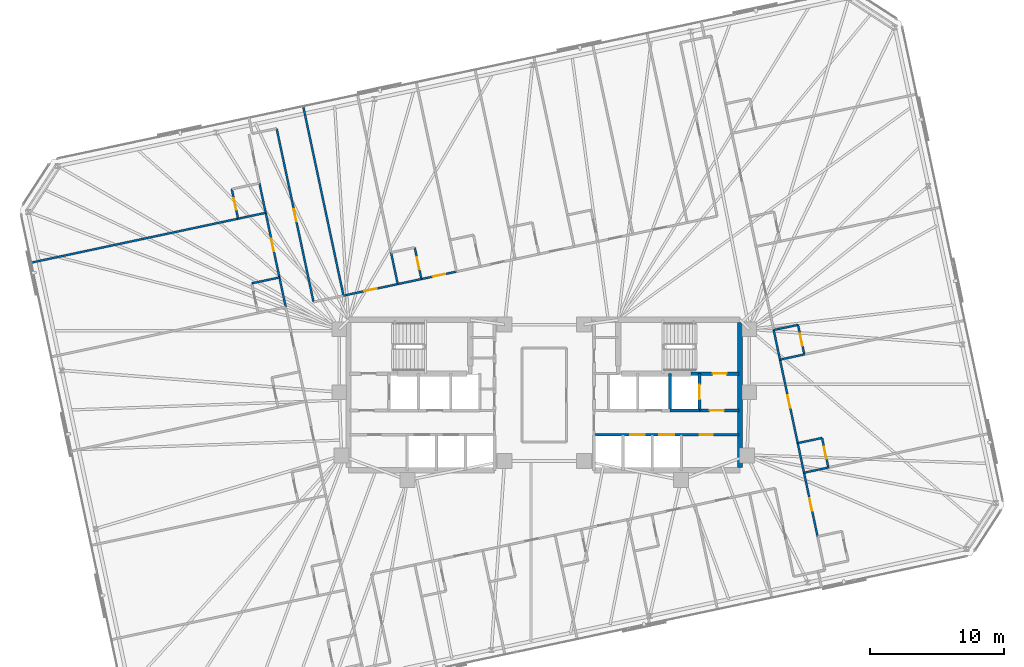
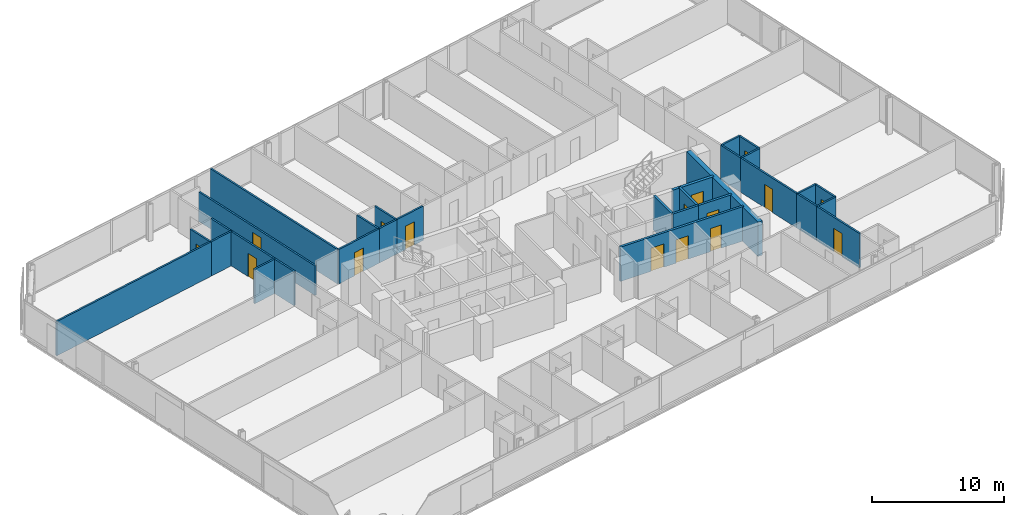
# One storey, part 17 of 21: 31 walls, 16 doors, 16 openings.
"""IFC4 building model written with IfcOpenShell, lengths in metres."""

from ifc_helpers import new_model, si_unit, direction, frame, frame_2d, origin, place, context, subcontext, project, spatial, rectangle, extrude, material, layer, layer_set, type_object, element, fill, save


model = new_model("IFC4")

# Units and contexts
model_context = context("Model", 3, precision=1e-05, world=origin(), true_north=direction((0.0, 1.0)))
body_context = subcontext(model_context, "Body", "Model", "MODEL_VIEW")
ifc_project = project(units=[si_unit("LENGTHUNIT", "METRE"), si_unit("AREAUNIT", "SQUARE_METRE"), si_unit("VOLUMEUNIT", "CUBIC_METRE"), si_unit("PLANEANGLEUNIT", "RADIAN"), si_unit("MASSUNIT", "GRAM", prefix="KILO")], contexts=[model_context])

# Site, building, storey
site_placement = place(None, origin())
site = spatial("IfcSite", under=ifc_project, at=site_placement, CompositionType="ELEMENT")
building_placement = place(site_placement, origin())
building = spatial("IfcBuilding", under=site, at=building_placement, Name="Menara Jurai Vektor", CompositionType="ELEMENT")
storey_placement = place(building_placement, frame((0.0, 0.0, 165.0)))
storey = spatial("IfcBuildingStorey", under=building, at=storey_placement, Name="L42", CompositionType="ELEMENT", Elevation=165.0)

# Wall, opening, door
ifc_material_1 = material(Name="Concrete C40/50", Category="concrete")
ifc_layer_1 = layer(ifc_material_1, 0.25)
ifc_layer_set_1 = layer_set([ifc_layer_1], Name="Concrete C40/50")
wall_type_1 = type_object("IfcWallType", Name="INT-WALL-CORE-250", PredefinedType="STANDARD", material=ifc_layer_set_1)
wall_1_placement = place(storey_placement, frame((10.89990234375, 1.60009765625, 0.0), z_axis=(0.0, 0.0, 1.0), x_axis=(1.0, 0.0, 0.0)))
wall_1 = element("IfcWall", 1, at=wall_1_placement, inside=storey, type_object=wall_type_1, Name="Interior Wall IW-250 L42", PredefinedType="STANDARD", context=body_context, shape_type="SweptSolid", body=[
    extrude(rectangle(XDim=3.60009765625, YDim=0.25, at=frame_2d((1.800048828125, 0.0))), origin(), (0.0, 0.0, 1.0), 3.175048828125),
])
opening_1_placement = place(wall_1_placement, frame((1.6201171875, 0.0, 0.0)))
opening_1 = element("IfcOpeningElement", 2, at=opening_1_placement, cuts=wall_1, Name="Opening D-L42-ST2", PredefinedType="OPENING", context=body_context, shape_type="SweptSolid", body=[
    extrude(rectangle(XDim=1.050048828125, YDim=2.14990234375, at=frame_2d((0.52490234375, 1.074951171875))), frame((0.0, 0.135009765625, 0.0), z_axis=(0.0, -1.0, 0.0), x_axis=(1.0, 0.0, 0.0)), (0.0, 0.0, 1.0), 0.27001953125),
])
ifc_material_2 = material(Name="Fire-Rated Steel Door", Category="steel")
door_type_1 = type_object("IfcDoorType", Name="DR-STAIR-1050", OperationType="NOTDEFINED", PredefinedType="DOOR", material=ifc_material_2)
door_1_placement = place(opening_1_placement, origin())
door_1 = element("IfcDoor", 3, at=door_1_placement, inside=storey, type_object=door_type_1, Name="Exit Stair ST2 Door L42", OperationType="SINGLE_SWING_LEFT", OverallHeight=2.14990234375, OverallWidth=1.050048828125, PredefinedType="DOOR", context=body_context, shape_type="SweptSolid", body=[
    extrude(rectangle(XDim=1.050048828125, YDim=2.14990234375, at=frame_2d((0.52490234375, 1.074951171875))), frame((0.0, 0.02490234375, 0.0), z_axis=(0.0, -1.0, 0.0), x_axis=(1.0, 0.0, 0.0)), (0.0, 0.0, 1.0), 0.050048828125),
])
fill(opening_1, door_1)

wall_2_placement = place(storey_placement, frame((11.550048828125, -1.14990234375, 0.0), z_axis=(0.0, 0.0, 1.0), x_axis=(0.0, 1.0, 0.0)))
wall_2 = element("IfcWall", 4, at=wall_2_placement, inside=storey, type_object=wall_type_1, Name="Interior Wall IW-250 L42", PredefinedType="STANDARD", context=body_context, shape_type="SweptSolid", body=[
    extrude(rectangle(XDim=2.75, YDim=0.199951171875, at=frame_2d((1.375, 0.0))), origin(), (0.0, 0.0, 1.0), 3.175048828125),
])
opening_2_placement = place(wall_2_placement, frame((0.824951171875, 0.0, 0.0)))
opening_2 = element("IfcOpeningElement", 5, at=opening_2_placement, cuts=wall_2, Name="Opening LD-L42-FL2", PredefinedType="OPENING", context=body_context, shape_type="SweptSolid", body=[
    extrude(rectangle(XDim=1.10009765625, YDim=2.14990234375, at=frame_2d((0.550048828125, 1.074951171875))), frame((0.0, 0.10986328125, 0.0), z_axis=(0.0, -1.0, 0.0), x_axis=(1.0, 0.0, 0.0)), (0.0, 0.0, 1.0), 0.219970703125),
])
ifc_material_3 = material(Name="Stainless Steel Sliding Lift Landing Door", Category="steel")
door_type_2 = type_object("IfcDoorType", Name="DR-LIFT-FIRE-1100", OperationType="NOTDEFINED", PredefinedType="DOOR", material=ifc_material_3)
door_2_placement = place(opening_2_placement, origin())
door_2 = element("IfcDoor", 6, at=door_2_placement, inside=storey, type_object=door_type_2, Name="Lift Landing Door FL2 L42", OperationType="SLIDING_TO_RIGHT", OverallHeight=2.14990234375, OverallWidth=1.10009765625, PredefinedType="DOOR", context=body_context, shape_type="SweptSolid", body=[
    extrude(rectangle(XDim=1.10009765625, YDim=2.14990234375, at=frame_2d((0.550048828125, 1.074951171875))), frame((0.0, 0.02490234375, 0.0), z_axis=(0.0, -1.0, 0.0), x_axis=(1.0, 0.0, 0.0)), (0.0, 0.0, 1.0), 0.050048828125),
])
fill(opening_2, door_2)

# Wall
wall_3_placement = place(storey_placement, frame((9.35009765625, -1.14990234375, 0.0), z_axis=(0.0, 0.0, 1.0), x_axis=(0.0, 1.0, 0.0)))
element("IfcWall", 7, at=wall_3_placement, inside=storey, type_object=wall_type_1, Name="Interior Wall IW-250 L42", PredefinedType="STANDARD", context=body_context, shape_type="SweptSolid", body=[
    extrude(rectangle(XDim=2.75, YDim=0.199951171875, at=frame_2d((1.375, 0.0))), origin(), (0.0, 0.0, 1.0), 3.175048828125),
])

# Wall, opening, door
wall_4_placement = place(storey_placement, frame((11.550048828125, -1.14990234375, 0.0), z_axis=(0.0, 0.0, 1.0), x_axis=(1.0, 0.0, 0.0)))
wall_4 = element("IfcWall", 8, at=wall_4_placement, inside=storey, type_object=wall_type_1, Name="Interior Wall IW-250 L42", PredefinedType="STANDARD", context=body_context, shape_type="SweptSolid", body=[
    extrude(rectangle(XDim=2.949951171875, YDim=0.199951171875, at=frame_2d((1.47509765625, 0.0))), origin(), (0.0, 0.0, 1.0), 3.175048828125),
])
opening_3_placement = place(wall_4_placement, frame((0.75, 0.0, 0.0)))
opening_3 = element("IfcOpeningElement", 9, at=opening_3_placement, cuts=wall_4, Name="Opening D-L42-FFE", PredefinedType="OPENING", context=body_context, shape_type="SweptSolid", body=[
    extrude(rectangle(XDim=1.050048828125, YDim=2.179931640625, at=frame_2d((0.52490234375, 1.08984375))), frame((0.0, 0.10986328125, 0.0), z_axis=(0.0, -1.0, 0.0), x_axis=(1.0, 0.0, 0.0)), (0.0, 0.0, 1.0), 0.219970703125),
])
ifc_material_4 = material(Name="Fire-Rated Timber Door", Category="wood")
door_type_3 = type_object("IfcDoorType", Name="DR-LOBBY-1050", OperationType="NOTDEFINED", PredefinedType="DOOR", material=ifc_material_4)
door_3_placement = place(opening_3_placement, origin())
door_3 = element("IfcDoor", 10, at=door_3_placement, inside=storey, type_object=door_type_3, Name="Fire Lift Lobby Door E L42", OperationType="SINGLE_SWING_LEFT", OverallHeight=2.179931640625, OverallWidth=1.050048828125, PredefinedType="DOOR", context=body_context, shape_type="SweptSolid", body=[
    extrude(rectangle(XDim=1.050048828125, YDim=2.179931640625, at=frame_2d((0.52490234375, 1.08984375))), frame((0.0, 0.02490234375, 0.0), z_axis=(0.0, -1.0, 0.0), x_axis=(1.0, 0.0, 0.0)), (0.0, 0.0, 1.0), 0.050048828125),
])
fill(opening_3, door_3)

# Wall
wall_5_placement = place(storey_placement, frame((9.35009765625, -1.14990234375, 0.0), z_axis=(0.0, 0.0, 1.0), x_axis=(1.0, 0.0, 0.0)))
element("IfcWall", 11, at=wall_5_placement, inside=storey, type_object=wall_type_1, Name="Interior Wall IW-250 L42", PredefinedType="STANDARD", context=body_context, shape_type="SweptSolid", body=[
    extrude(rectangle(XDim=2.199951171875, YDim=0.199951171875, at=frame_2d((1.10009765625, 0.0))), origin(), (0.0, 0.0, 1.0), 3.175048828125),
])

# Wall, opening, door
ifc_material_5 = material(Name="Gypsum Fireboard Partition", Category="gypsum")
ifc_layer_2 = layer(ifc_material_5, 0.14990234375)
ifc_layer_set_2 = layer_set([ifc_layer_2], Name="Gypsum Fireboard Partition")
wall_type_2 = type_object("IfcWallType", Name="INT-WALL-CORR-150", PredefinedType="PARTITIONING", material=ifc_layer_set_2)
wall_6_placement = place(storey_placement, frame((-14.935302734375, 7.3994140625, 0.0), z_axis=(0.0, 0.0, 1.0), x_axis=(0.978153289129, 0.20788492722, 0.0)))
wall_6 = element("IfcWall", 12, at=wall_6_placement, inside=storey, type_object=wall_type_2, Name="Interior Wall IW-150 L42", PredefinedType="PARTITIONING", context=body_context, shape_type="SweptSolid", body=[
    extrude(rectangle(XDim=4.1279296875, YDim=0.14990234375, at=frame_2d((2.06396484375, 0.0))), origin(), (0.0, 0.0, 1.0), 3.175048828125),
])
opening_4_placement = place(wall_6_placement, frame((1.60400390625, 0.0, 0.0)))
opening_4 = element("IfcOpeningElement", 13, at=opening_4_placement, cuts=wall_6, Name="Opening D42-10", PredefinedType="OPENING", context=body_context, shape_type="SweptSolid", body=[
    extrude(rectangle(XDim=0.919921875, YDim=2.14990234375, at=frame_2d((0.4599609375, 1.074951171875))), frame((0.0, 0.0849609375, 0.0), z_axis=(0.0, -1.0, 0.0), x_axis=(1.0, 0.0, 0.0)), (0.0, 0.0, 1.0), 0.169921875),
])
ifc_material_6 = material(Name="Solid Core Timber Fire Door", Category="wood")
door_type_4 = type_object("IfcDoorType", Name="DR-ENTRY-950", OperationType="NOTDEFINED", PredefinedType="DOOR", material=ifc_material_6)
door_4_placement = place(opening_4_placement, origin())
door_4 = element("IfcDoor", 14, at=door_4_placement, inside=storey, type_object=door_type_4, Name="Interior Door D42-10", OperationType="SINGLE_SWING_LEFT", OverallHeight=2.14990234375, OverallWidth=0.919921875, PredefinedType="DOOR", context=body_context, shape_type="SweptSolid", body=[
    extrude(rectangle(XDim=0.919921875, YDim=2.14990234375, at=frame_2d((0.4599609375, 1.074951171875))), frame((0.0, 0.02490234375, 0.0), z_axis=(0.0, -1.0, 0.0), x_axis=(1.0, 0.0, 0.0)), (0.0, 0.0, 1.0), 0.050048828125),
])
fill(opening_4, door_4)

wall_7_placement = place(storey_placement, frame((-9.13671875, 8.6318359375, 0.0), z_axis=(0.0, 0.0, 1.0), x_axis=(0.978158153975, 0.207862035524, 0.0)))
wall_7 = element("IfcWall", 15, at=wall_7_placement, inside=storey, type_object=wall_type_2, Name="Interior Wall IW-150 L42", PredefinedType="PARTITIONING", context=body_context, shape_type="SweptSolid", body=[
    extrude(rectangle(XDim=2.6708984375, YDim=0.14990234375, at=frame_2d((1.33544921875, 0.0))), origin(), (0.0, 0.0, 1.0), 3.175048828125),
])
opening_5_placement = place(wall_7_placement, frame((0.87548828125, 0.0, 0.0)))
opening_5 = element("IfcOpeningElement", 16, at=opening_5_placement, cuts=wall_7, Name="Opening D42-11", PredefinedType="OPENING", context=body_context, shape_type="SweptSolid", body=[
    extrude(rectangle(XDim=0.919921875, YDim=2.14990234375, at=frame_2d((0.4599609375, 1.074951171875))), frame((0.0, 0.0849609375, 0.0), z_axis=(0.0, -1.0, 0.0), x_axis=(1.0, 0.0, 0.0)), (0.0, 0.0, 1.0), 0.169921875),
])
door_5_placement = place(opening_5_placement, origin())
door_5 = element("IfcDoor", 17, at=door_5_placement, inside=storey, type_object=door_type_4, Name="Interior Door D42-11", OperationType="SINGLE_SWING_RIGHT", OverallHeight=2.14990234375, OverallWidth=0.919921875, PredefinedType="DOOR", context=body_context, shape_type="SweptSolid", body=[
    extrude(rectangle(XDim=0.919921875, YDim=2.14990234375, at=frame_2d((0.4599609375, 1.074951171875))), frame((0.0, 0.02490234375, 0.0), z_axis=(0.0, -1.0, 0.0), x_axis=(1.0, 0.0, 0.0)), (0.0, 0.0, 1.0), 0.050048828125),
])
fill(opening_5, door_5)

# Wall
wall_8_placement = place(storey_placement, frame((-10.8974609375, 8.257568359375, 0.0), z_axis=(0.0, 0.0, 1.0), x_axis=(0.978146440129, 0.207917150959, 0.0)))
element("IfcWall", 18, at=wall_8_placement, inside=storey, type_object=wall_type_2, Name="Interior Wall IW-150 L42", PredefinedType="PARTITIONING", context=body_context, shape_type="SweptSolid", body=[
    extrude(rectangle(XDim=1.800048828125, YDim=0.14990234375, at=frame_2d((0.89990234375, 0.0))), origin(), (0.0, 0.0, 1.0), 3.175048828125),
])

# Wall, opening, door
wall_9_placement = place(storey_placement, frame((-19.697265625, 8.750732421875, 0.0), z_axis=(0.0, 0.0, 1.0), x_axis=(-0.207887265829, 0.978152792107, 0.0)))
wall_9 = element("IfcWall", 19, at=wall_9_placement, inside=storey, type_object=wall_type_2, Name="Interior Wall IW-150 L42", PredefinedType="PARTITIONING", context=body_context, shape_type="SweptSolid", body=[
    extrude(rectangle(XDim=4.916015625, YDim=0.14990234375, at=frame_2d((2.4580078125, 0.0))), origin(), (0.0, 0.0, 1.0), 3.175048828125),
])
opening_6_placement = place(wall_9_placement, frame((1.98291015625, 0.0, 0.0)))
opening_6 = element("IfcOpeningElement", 20, at=opening_6_placement, cuts=wall_9, Name="Opening D42-40", PredefinedType="OPENING", context=body_context, shape_type="SweptSolid", body=[
    extrude(rectangle(XDim=0.949951171875, YDim=2.14990234375, at=frame_2d((0.47509765625, 1.074951171875))), frame((0.0, 0.0849609375, 0.0), z_axis=(0.0, -1.0, 0.0), x_axis=(1.0, 0.0, 0.0)), (0.0, 0.0, 1.0), 0.169921875),
])
door_6_placement = place(opening_6_placement, origin())
door_6 = element("IfcDoor", 21, at=door_6_placement, inside=storey, type_object=door_type_4, Name="Interior Door D42-40", OperationType="SINGLE_SWING_LEFT", OverallHeight=2.14990234375, OverallWidth=0.949951171875, PredefinedType="DOOR", context=body_context, shape_type="SweptSolid", body=[
    extrude(rectangle(XDim=0.949951171875, YDim=2.14990234375, at=frame_2d((0.47509765625, 1.074951171875))), frame((0.0, 0.02490234375, 0.0), z_axis=(0.0, -1.0, 0.0), x_axis=(1.0, 0.0, 0.0)), (0.0, 0.0, 1.0), 0.050048828125),
])
fill(opening_6, door_6)

# Walls
for number, where, z_axis, x_axis, name in (
    (22, (-19.2294921875, 6.5498046875, 0.0), (0.0, 0.0, 1.0), (-0.207891197838, 0.978151956427, 0.0), "Interior Wall IW-150 L42"),
    (23, (-20.71923828125, 13.559326171875, 0.0), (0.0, 0.0, 1.0), (-0.207891197838, 0.978151956427, 0.0), "Interior Wall IW-150 L42"),
):
    element("IfcWall", number, at=place(storey_placement, frame(where, z_axis=z_axis, x_axis=x_axis)), inside=storey, type_object=wall_type_2, Name=name, PredefinedType="PARTITIONING", context=body_context, shape_type="SweptSolid", body=[
        extrude(rectangle(XDim=2.25, YDim=0.14990234375, at=frame_2d((1.125, 0.0))), origin(), (0.0, 0.0, 1.0), 3.175048828125),
    ])

# Wall, opening, door
wall_10_placement = place(storey_placement, frame((20.328125, -10.515380859375, 0.0), z_axis=(0.0, 0.0, 1.0), x_axis=(-0.207950868925, 0.97813927235, 0.0)))
wall_10 = element("IfcWall", 24, at=wall_10_placement, inside=storey, type_object=wall_type_2, Name="Interior Wall IW-150 L42", PredefinedType="PARTITIONING", context=body_context, shape_type="SweptSolid", body=[
    extrude(rectangle(XDim=4.849853515625, YDim=0.14990234375, at=frame_2d((2.4248046875, 0.0))), origin(), (0.0, 0.0, 1.0), 3.175048828125),
])
opening_7_placement = place(wall_10_placement, frame((1.949951171875, 0.0, 0.0)))
opening_7 = element("IfcOpeningElement", 25, at=opening_7_placement, cuts=wall_10, Name="Opening D42-44", PredefinedType="OPENING", context=body_context, shape_type="SweptSolid", body=[
    extrude(rectangle(XDim=0.949951171875, YDim=2.14990234375, at=frame_2d((0.47509765625, 1.074951171875))), frame((0.0, 0.0849609375, 0.0), z_axis=(0.0, -1.0, 0.0), x_axis=(1.0, 0.0, 0.0)), (0.0, 0.0, 1.0), 0.169921875),
])
door_7_placement = place(opening_7_placement, origin())
door_7 = element("IfcDoor", 26, at=door_7_placement, inside=storey, type_object=door_type_4, Name="Interior Door D42-44", OperationType="SINGLE_SWING_LEFT", OverallHeight=2.14990234375, OverallWidth=0.949951171875, PredefinedType="DOOR", context=body_context, shape_type="SweptSolid", body=[
    extrude(rectangle(XDim=0.949951171875, YDim=2.14990234375, at=frame_2d((0.47509765625, 1.074951171875))), frame((0.0, 0.02490234375, 0.0), z_axis=(0.0, -1.0, 0.0), x_axis=(1.0, 0.0, 0.0)), (0.0, 0.0, 1.0), 0.050048828125),
])
fill(opening_7, door_7)

wall_11_placement = place(storey_placement, frame((18.851806640625, -3.57080078125, 0.0), z_axis=(0.0, 0.0, 1.0), x_axis=(-0.207879907349, 0.978154355979, 0.0)))
wall_11 = element("IfcWall", 27, at=wall_11_placement, inside=storey, type_object=wall_type_2, Name="Interior Wall IW-150 L42", PredefinedType="PARTITIONING", context=body_context, shape_type="SweptSolid", body=[
    extrude(rectangle(XDim=6.35009765625, YDim=0.14990234375, at=frame_2d((3.175048828125, 0.0))), origin(), (0.0, 0.0, 1.0), 3.175048828125),
])
opening_8_placement = place(wall_11_placement, frame((2.699951171875, 0.0, 0.0)))
opening_8 = element("IfcOpeningElement", 28, at=opening_8_placement, cuts=wall_11, Name="Opening D42-46", PredefinedType="OPENING", context=body_context, shape_type="SweptSolid", body=[
    extrude(rectangle(XDim=0.949951171875, YDim=2.14990234375, at=frame_2d((0.47509765625, 1.074951171875))), frame((0.0, 0.0849609375, 0.0), z_axis=(0.0, -1.0, 0.0), x_axis=(1.0, 0.0, 0.0)), (0.0, 0.0, 1.0), 0.169921875),
])
door_8_placement = place(opening_8_placement, origin())
door_8 = element("IfcDoor", 29, at=door_8_placement, inside=storey, type_object=door_type_4, Name="Interior Door D42-46", OperationType="SINGLE_SWING_LEFT", OverallHeight=2.14990234375, OverallWidth=0.949951171875, PredefinedType="DOOR", context=body_context, shape_type="SweptSolid", body=[
    extrude(rectangle(XDim=0.949951171875, YDim=2.14990234375, at=frame_2d((0.47509765625, 1.074951171875))), frame((0.0, 0.02490234375, 0.0), z_axis=(0.0, -1.0, 0.0), x_axis=(1.0, 0.0, 0.0)), (0.0, 0.0, 1.0), 0.050048828125),
])
fill(opening_8, door_8)

# Walls
for number, where, z_axis, x_axis, name in (
    (30, (19.319580078125, -5.771484375, 0.0), (0.0, 0.0, 1.0), (-0.207913264065, 0.978147266328, 0.0), "Interior Wall IW-150 L42"),
    (31, (17.53173828125, 2.640625, 0.0), (0.0, 0.0, 1.0), (-0.207913264065, 0.978147266328, 0.0), "Interior Wall IW-150 L42"),
):
    element("IfcWall", number, at=place(storey_placement, frame(where, z_axis=z_axis, x_axis=x_axis)), inside=storey, type_object=wall_type_2, Name=name, PredefinedType="PARTITIONING", context=body_context, shape_type="SweptSolid", body=[
        extrude(rectangle(XDim=2.249755859375, YDim=0.14990234375, at=frame_2d((1.125, 0.0))), origin(), (0.0, 0.0, 1.0), 3.175048828125),
    ])
wall_12_placement = place(storey_placement, frame((-14.935302734375, 7.3994140625, 0.0), z_axis=(0.0, 0.0, 1.0), x_axis=(-0.207899121568, 0.978150272326, 0.0)))
element("IfcWall", 32, at=wall_12_placement, inside=storey, type_object=wall_type_2, Name="Interior Wall IW-150 L42", PredefinedType="PARTITIONING", context=body_context, shape_type="SweptSolid", body=[
    extrude(rectangle(XDim=14.394775390625, YDim=0.14990234375, at=frame_2d((7.197265625, 0.0))), origin(), (0.0, 0.0, 1.0), 3.175048828125),
])
wall_13_placement = place(storey_placement, frame((-10.8974609375, 8.257568359375, 0.0), z_axis=(0.0, 0.0, 1.0), x_axis=(-0.207937840262, 0.978142042133, 0.0)))
element("IfcWall", 33, at=wall_13_placement, inside=storey, type_object=wall_type_2, Name="Interior Wall IW-150 L42", PredefinedType="PARTITIONING", context=body_context, shape_type="SweptSolid", body=[
    extrude(rectangle(XDim=2.39990234375, YDim=0.14990234375, at=frame_2d((1.199951171875, 0.0))), origin(), (0.0, 0.0, 1.0), 3.175048828125),
])

# Wall, opening, door
wall_14_placement = place(storey_placement, frame((-9.13671875, 8.6318359375, 0.0), z_axis=(0.0, 0.0, 1.0), x_axis=(-0.207917150959, 0.978146440129, 0.0)))
wall_14 = element("IfcWall", 34, at=wall_14_placement, inside=storey, type_object=wall_type_2, Name="Interior Wall IW-150 L42", PredefinedType="PARTITIONING", context=body_context, shape_type="SweptSolid", body=[
    extrude(rectangle(XDim=2.400146484375, YDim=0.14990234375, at=frame_2d((1.2001953125, 0.0))), origin(), (0.0, 0.0, 1.0), 3.175048828125),
])
opening_9_placement = place(wall_14_placement, frame((0.760009765625, 0.0, 0.0)))
opening_9 = element("IfcOpeningElement", 35, at=opening_9_placement, cuts=wall_14, Name="Opening D42-12", PredefinedType="OPENING", context=body_context, shape_type="SweptSolid", body=[
    extrude(rectangle(XDim=0.8798828125, YDim=2.14990234375, at=frame_2d((0.43994140625, 1.074951171875))), frame((0.0, 0.0849609375, 0.0), z_axis=(0.0, -1.0, 0.0), x_axis=(1.0, 0.0, 0.0)), (0.0, 0.0, 1.0), 0.169921875),
])
ifc_material_7 = material(Name="Moisture-Resistant Timber Door", Category="wood")
door_type_5 = type_object("IfcDoorType", Name="DR-BATH-880", OperationType="NOTDEFINED", PredefinedType="DOOR", material=ifc_material_7)
door_9_placement = place(opening_9_placement, origin())
door_9 = element("IfcDoor", 36, at=door_9_placement, inside=storey, type_object=door_type_5, Name="Interior Door D42-12", OperationType="SINGLE_SWING_LEFT", OverallHeight=2.14990234375, OverallWidth=0.8798828125, PredefinedType="DOOR", context=body_context, shape_type="SweptSolid", body=[
    extrude(rectangle(XDim=0.8798828125, YDim=2.14990234375, at=frame_2d((0.43994140625, 1.074951171875))), frame((0.0, 0.02490234375, 0.0), z_axis=(0.0, -1.0, 0.0), x_axis=(1.0, 0.0, 0.0)), (0.0, 0.0, 1.0), 0.050048828125),
])
fill(opening_9, door_9)

# Walls
wall_15_placement = place(storey_placement, frame((-21.751220703125, 8.314208984375, 0.0), z_axis=(0.0, 0.0, 1.0), x_axis=(0.978153236239, 0.207885176084, 0.0)))
element("IfcWall", 37, at=wall_15_placement, inside=storey, type_object=wall_type_2, Name="Interior Wall IW-150 L42", PredefinedType="PARTITIONING", context=body_context, shape_type="SweptSolid", body=[
    extrude(rectangle(XDim=2.099853515625, YDim=0.14990234375, at=frame_2d((1.0498046875, 0.0))), origin(), (0.0, 0.0, 1.0), 3.175048828125),
])
wall_16_placement = place(storey_placement, frame((-38.14794921875, 9.854736328125, 0.0), z_axis=(0.0, 0.0, 1.0), x_axis=(0.978146137903, 0.207918572776, 0.0)))
element("IfcWall", 38, at=wall_16_placement, inside=storey, type_object=wall_type_2, Name="Interior Wall IW-150 L42", PredefinedType="PARTITIONING", context=body_context, shape_type="SweptSolid", body=[
    extrude(rectangle(XDim=15.718017578125, YDim=0.14990234375, at=frame_2d((7.85888671875, 0.0))), origin(), (0.0, 0.0, 1.0), 3.175048828125),
])
wall_17_placement = place(storey_placement, frame((-22.7734375, 13.122802734375, 0.0), z_axis=(0.0, 0.0, 1.0), x_axis=(0.97815826, 0.207861536591, 0.0)))
element("IfcWall", 39, at=wall_17_placement, inside=storey, type_object=wall_type_2, Name="Interior Wall IW-150 L42", PredefinedType="PARTITIONING", context=body_context, shape_type="SweptSolid", body=[
    extrude(rectangle(XDim=2.10009765625, YDim=0.14990234375, at=frame_2d((1.050048828125, 0.0))), origin(), (0.0, 0.0, 1.0), 3.175048828125),
])

# Wall, opening, door
wall_18_placement = place(storey_placement, frame((-22.7734375, 13.122802734375, 0.0), z_axis=(0.0, 0.0, 1.0), x_axis=(-0.207913264065, 0.978147266328, 0.0)))
wall_18 = element("IfcWall", 40, at=wall_18_placement, inside=storey, type_object=wall_type_2, Name="Interior Wall IW-150 L42", PredefinedType="PARTITIONING", context=body_context, shape_type="SweptSolid", body=[
    extrude(rectangle(XDim=2.249755859375, YDim=0.14990234375, at=frame_2d((1.125, 0.0))), origin(), (0.0, 0.0, 1.0), 3.175048828125),
])
opening_10_placement = place(wall_18_placement, frame((0.68505859375, 0.0, 0.0)))
opening_10 = element("IfcOpeningElement", 41, at=opening_10_placement, cuts=wall_18, Name="Opening D42-43", PredefinedType="OPENING", context=body_context, shape_type="SweptSolid", body=[
    extrude(rectangle(XDim=0.8798828125, YDim=2.14990234375, at=frame_2d((0.43994140625, 1.074951171875))), frame((0.0, 0.0849609375, 0.0), z_axis=(0.0, -1.0, 0.0), x_axis=(1.0, 0.0, 0.0)), (0.0, 0.0, 1.0), 0.169921875),
])
door_10_placement = place(opening_10_placement, origin())
door_10 = element("IfcDoor", 42, at=door_10_placement, inside=storey, type_object=door_type_5, Name="Interior Door D42-43", OperationType="SINGLE_SWING_RIGHT", OverallHeight=2.14990234375, OverallWidth=0.8798828125, PredefinedType="DOOR", context=body_context, shape_type="SweptSolid", body=[
    extrude(rectangle(XDim=0.8798828125, YDim=2.14990234375, at=frame_2d((0.43994140625, 1.074951171875))), frame((0.0, 0.02490234375, 0.0), z_axis=(0.0, -1.0, 0.0), x_axis=(1.0, 0.0, 0.0)), (0.0, 0.0, 1.0), 0.050048828125),
])
fill(opening_10, door_10)

# Walls
wall_19_placement = place(storey_placement, frame((19.319580078125, -5.771484375, 0.0), z_axis=(0.0, 0.0, 1.0), x_axis=(0.978165892835, 0.207825614625, 0.0)))
element("IfcWall", 43, at=wall_19_placement, inside=storey, type_object=wall_type_2, Name="Interior Wall IW-150 L42", PredefinedType="PARTITIONING", context=body_context, shape_type="SweptSolid", body=[
    extrude(rectangle(XDim=1.85009765625, YDim=0.14990234375, at=frame_2d((0.925048828125, 0.0))), origin(), (0.0, 0.0, 1.0), 3.175048828125),
])
wall_20_placement = place(storey_placement, frame((18.851806640625, -3.57080078125, 0.0), z_axis=(0.0, 0.0, 1.0), x_axis=(0.978139061018, 0.207951862966, 0.0)))
element("IfcWall", 44, at=wall_20_placement, inside=storey, type_object=wall_type_2, Name="Interior Wall IW-150 L42", PredefinedType="PARTITIONING", context=body_context, shape_type="SweptSolid", body=[
    extrude(rectangle(XDim=1.850341796875, YDim=0.14990234375, at=frame_2d((0.92529296875, 0.0))), origin(), (0.0, 0.0, 1.0), 3.175048828125),
])

# Wall, opening, door
wall_21_placement = place(storey_placement, frame((21.12939453125, -5.386962890625, 0.0), z_axis=(0.0, 0.0, 1.0), x_axis=(-0.207891197838, 0.978151956427, 0.0)))
wall_21 = element("IfcWall", 45, at=wall_21_placement, inside=storey, type_object=wall_type_2, Name="Interior Wall IW-150 L42", PredefinedType="PARTITIONING", context=body_context, shape_type="SweptSolid", body=[
    extrude(rectangle(XDim=2.25, YDim=0.14990234375, at=frame_2d((1.125, 0.0))), origin(), (0.0, 0.0, 1.0), 3.175048828125),
])
opening_11_placement = place(wall_21_placement, frame((0.68505859375, 0.0, 0.0)))
opening_11 = element("IfcOpeningElement", 46, at=opening_11_placement, cuts=wall_21, Name="Opening D42-47", PredefinedType="OPENING", context=body_context, shape_type="SweptSolid", body=[
    extrude(rectangle(XDim=0.8798828125, YDim=2.14990234375, at=frame_2d((0.43994140625, 1.074951171875))), frame((0.0, 0.0849609375, 0.0), z_axis=(0.0, -1.0, 0.0), x_axis=(1.0, 0.0, 0.0)), (0.0, 0.0, 1.0), 0.169921875),
])
door_11_placement = place(opening_11_placement, origin())
door_11 = element("IfcDoor", 47, at=door_11_placement, inside=storey, type_object=door_type_5, Name="Interior Door D42-47", OperationType="SINGLE_SWING_RIGHT", OverallHeight=2.14990234375, OverallWidth=0.8798828125, PredefinedType="DOOR", context=body_context, shape_type="SweptSolid", body=[
    extrude(rectangle(XDim=0.8798828125, YDim=2.14990234375, at=frame_2d((0.43994140625, 1.074951171875))), frame((0.0, 0.02490234375, 0.0), z_axis=(0.0, -1.0, 0.0), x_axis=(1.0, 0.0, 0.0)), (0.0, 0.0, 1.0), 0.050048828125),
])
fill(opening_11, door_11)

# Walls
wall_22_placement = place(storey_placement, frame((17.53173828125, 2.640625, 0.0), z_axis=(0.0, 0.0, 1.0), x_axis=(0.978160192495, 0.207852442415, 0.0)))
element("IfcWall", 48, at=wall_22_placement, inside=storey, type_object=wall_type_2, Name="Interior Wall IW-150 L42", PredefinedType="PARTITIONING", context=body_context, shape_type="SweptSolid", body=[
    extrude(rectangle(XDim=1.849853515625, YDim=0.14990234375, at=frame_2d((0.9248046875, 0.0))), origin(), (0.0, 0.0, 1.0), 3.175048828125),
])
wall_23_placement = place(storey_placement, frame((17.06396484375, 4.84130859375, 0.0), z_axis=(0.0, 0.0, 1.0), x_axis=(0.978133353907, 0.20797870558, 0.0)))
element("IfcWall", 49, at=wall_23_placement, inside=storey, type_object=wall_type_2, Name="Interior Wall IW-150 L42", PredefinedType="PARTITIONING", context=body_context, shape_type="SweptSolid", body=[
    extrude(rectangle(XDim=1.85009765625, YDim=0.14990234375, at=frame_2d((0.925048828125, 0.0))), origin(), (0.0, 0.0, 1.0), 3.175048828125),
])

# Wall, opening, door
wall_24_placement = place(storey_placement, frame((19.34130859375, 3.025146484375, 0.0), z_axis=(0.0, 0.0, 1.0), x_axis=(-0.207891197838, 0.978151956427, 0.0)))
wall_24 = element("IfcWall", 50, at=wall_24_placement, inside=storey, type_object=wall_type_2, Name="Interior Wall IW-150 L42", PredefinedType="PARTITIONING", context=body_context, shape_type="SweptSolid", body=[
    extrude(rectangle(XDim=2.25, YDim=0.14990234375, at=frame_2d((1.125, 0.0))), origin(), (0.0, 0.0, 1.0), 3.175048828125),
])
opening_12_placement = place(wall_24_placement, frame((0.68505859375, 0.0, 0.0)))
opening_12 = element("IfcOpeningElement", 51, at=opening_12_placement, cuts=wall_24, Name="Opening D42-49", PredefinedType="OPENING", context=body_context, shape_type="SweptSolid", body=[
    extrude(rectangle(XDim=0.8798828125, YDim=2.14990234375, at=frame_2d((0.43994140625, 1.074951171875))), frame((0.0, 0.0849609375, 0.0), z_axis=(0.0, -1.0, 0.0), x_axis=(1.0, 0.0, 0.0)), (0.0, 0.0, 1.0), 0.169921875),
])
door_12_placement = place(opening_12_placement, origin())
door_12 = element("IfcDoor", 52, at=door_12_placement, inside=storey, type_object=door_type_5, Name="Interior Door D42-49", OperationType="SINGLE_SWING_RIGHT", OverallHeight=2.14990234375, OverallWidth=0.8798828125, PredefinedType="DOOR", context=body_context, shape_type="SweptSolid", body=[
    extrude(rectangle(XDim=0.8798828125, YDim=2.14990234375, at=frame_2d((0.43994140625, 1.074951171875))), frame((0.0, 0.02490234375, 0.0), z_axis=(0.0, -1.0, 0.0), x_axis=(1.0, 0.0, 0.0)), (0.0, 0.0, 1.0), 0.050048828125),
])
fill(opening_12, door_12)

ifc_layer_3 = layer(ifc_material_5, 0.14990234375)
ifc_layer_set_3 = layer_set([ifc_layer_3], Name="Gypsum Fireboard Partition")
wall_type_3 = type_object("IfcWallType", Name="INT-WALL-CORR-150-H1", PredefinedType="PARTITIONING", material=ifc_layer_set_3)
wall_25_placement = place(storey_placement, frame((-17.162353515625, 6.92578125, 0.0), z_axis=(0.0, 0.0, 1.0), x_axis=(-0.207911421929, 0.978147657888, 0.0)))
wall_25 = element("IfcWall", 53, at=wall_25_placement, inside=storey, type_object=wall_type_3, Name="Interior Wall IW-150 L42", PredefinedType="PARTITIONING", context=body_context, shape_type="SweptSolid", body=[
    extrude(rectangle(XDim=13.195068359375, YDim=0.14990234375, at=frame_2d((6.59765625, 0.0))), origin(), (0.0, 0.0, 1.0), 2.72509765625),
])
opening_13_placement = place(wall_25_placement, frame((6.137451171875, 0.0, 0.0)))
opening_13 = element("IfcOpeningElement", 54, at=opening_13_placement, cuts=wall_25, Name="Opening D42-09", PredefinedType="OPENING", context=body_context, shape_type="SweptSolid", body=[
    extrude(rectangle(XDim=0.919921875, YDim=2.14990234375, at=frame_2d((0.4599609375, 1.074951171875))), frame((0.0, 0.0849609375, 0.0), z_axis=(0.0, -1.0, 0.0), x_axis=(1.0, 0.0, 0.0)), (0.0, 0.0, 1.0), 0.169921875),
])
door_13_placement = place(opening_13_placement, origin())
door_13 = element("IfcDoor", 55, at=door_13_placement, inside=storey, type_object=door_type_4, Name="Interior Door D42-09", OperationType="SINGLE_SWING_RIGHT", OverallHeight=2.14990234375, OverallWidth=0.919921875, PredefinedType="DOOR", context=body_context, shape_type="SweptSolid", body=[
    extrude(rectangle(XDim=0.919921875, YDim=2.14990234375, at=frame_2d((0.4599609375, 1.074951171875))), frame((0.0, 0.02490234375, 0.0), z_axis=(0.0, -1.0, 0.0), x_axis=(1.0, 0.0, 0.0)), (0.0, 0.0, 1.0), 0.050048828125),
])
fill(opening_13, door_13)

# Wall, openings, doors
ifc_layer_4 = layer(ifc_material_1, 0.199951171875)
ifc_layer_set_4 = layer_set([ifc_layer_4], Name="Concrete C40/50")
wall_type_4 = type_object("IfcWallType", Name="INT-WALL-SHAFT-200", PredefinedType="STANDARD", material=ifc_layer_set_4)
wall_26_placement = place(storey_placement, frame((3.699951171875, -2.949951171875, 0.0), z_axis=(0.0, 0.0, 1.0), x_axis=(1.0, 0.0, 0.0)))
wall_26 = element("IfcWall", 56, at=wall_26_placement, inside=storey, type_object=wall_type_4, Name="Interior Wall IW-200 L42", PredefinedType="STANDARD", context=body_context, shape_type="SweptSolid", body=[
    extrude(rectangle(XDim=10.800048828125, YDim=0.199951171875, at=frame_2d((5.39990234375, 0.0))), origin(), (0.0, 0.0, 1.0), 3.175048828125),
])
opening_14_placement = place(wall_26_placement, frame((2.68994140625, 0.0, 0.0)))
opening_14 = element("IfcOpeningElement", 57, at=opening_14_placement, cuts=wall_26, Name="Opening LD-L42-PM3", PredefinedType="OPENING", context=body_context, shape_type="SweptSolid", body=[
    extrude(rectangle(XDim=1.10009765625, YDim=2.14990234375, at=frame_2d((0.550048828125, 1.074951171875))), frame((0.0, 0.10986328125, 0.0), z_axis=(0.0, -1.0, 0.0), x_axis=(1.0, 0.0, 0.0)), (0.0, 0.0, 1.0), 0.219970703125),
])
opening_15_placement = place(wall_26_placement, frame((4.85009765625, 0.0, 0.0)))
opening_15 = element("IfcOpeningElement", 58, at=opening_15_placement, cuts=wall_26, Name="Opening LD-L42-PM4", PredefinedType="OPENING", context=body_context, shape_type="SweptSolid", body=[
    extrude(rectangle(XDim=1.10009765625, YDim=2.14990234375, at=frame_2d((0.550048828125, 1.074951171875))), frame((0.0, 0.10986328125, 0.0), z_axis=(0.0, -1.0, 0.0), x_axis=(1.0, 0.0, 0.0)), (0.0, 0.0, 1.0), 0.219970703125),
])
opening_16_placement = place(wall_26_placement, frame((7.8798828125, 0.0, 0.0)))
opening_16 = element("IfcOpeningElement", 59, at=opening_16_placement, cuts=wall_26, Name="Opening D42-05", PredefinedType="OPENING", context=body_context, shape_type="SweptSolid", body=[
    extrude(rectangle(XDim=0.949951171875, YDim=2.14990234375, at=frame_2d((0.47509765625, 1.074951171875))), frame((0.0, 0.10986328125, 0.0), z_axis=(0.0, -1.0, 0.0), x_axis=(1.0, 0.0, 0.0)), (0.0, 0.0, 1.0), 0.219970703125),
])
door_14_placement = place(opening_16_placement, origin())
door_14 = element("IfcDoor", 60, at=door_14_placement, inside=storey, type_object=door_type_4, Name="Interior Door D42-05", OperationType="SINGLE_SWING_LEFT", OverallHeight=2.14990234375, OverallWidth=0.949951171875, PredefinedType="DOOR", context=body_context, shape_type="SweptSolid", body=[
    extrude(rectangle(XDim=0.949951171875, YDim=2.14990234375, at=frame_2d((0.47509765625, 1.074951171875))), frame((0.0, 0.02490234375, 0.0), z_axis=(0.0, -1.0, 0.0), x_axis=(1.0, 0.0, 0.0)), (0.0, 0.0, 1.0), 0.050048828125),
])
fill(opening_16, door_14)
ifc_material_8 = material(Name="Anodised Stainless Sliding Lift Landing Door", Category="steel")
door_type_6 = type_object("IfcDoorType", Name="DR-LIFT-PASS-1100", OperationType="NOTDEFINED", PredefinedType="DOOR", material=ifc_material_8)
door_15_placement = place(opening_14_placement, origin())
door_15 = element("IfcDoor", 61, at=door_15_placement, inside=storey, type_object=door_type_6, Name="Lift Landing Door PM3 L42", OperationType="SLIDING_TO_LEFT", OverallHeight=2.14990234375, OverallWidth=1.10009765625, PredefinedType="DOOR", context=body_context, shape_type="SweptSolid", body=[
    extrude(rectangle(XDim=1.10009765625, YDim=2.14990234375, at=frame_2d((0.550048828125, 1.074951171875))), frame((0.0, 0.02490234375, 0.0), z_axis=(0.0, -1.0, 0.0), x_axis=(1.0, 0.0, 0.0)), (0.0, 0.0, 1.0), 0.050048828125),
])
fill(opening_14, door_15)
door_16_placement = place(opening_15_placement, origin())
door_16 = element("IfcDoor", 62, at=door_16_placement, inside=storey, type_object=door_type_6, Name="Lift Landing Door PM4 L42", OperationType="SLIDING_TO_RIGHT", OverallHeight=2.14990234375, OverallWidth=1.10009765625, PredefinedType="DOOR", context=body_context, shape_type="SweptSolid", body=[
    extrude(rectangle(XDim=1.10009765625, YDim=2.14990234375, at=frame_2d((0.550048828125, 1.074951171875))), frame((0.0, 0.02490234375, 0.0), z_axis=(0.0, -1.0, 0.0), x_axis=(1.0, 0.0, 0.0)), (0.0, 0.0, 1.0), 0.050048828125),
])
fill(opening_15, door_16)

# Wall
ifc_material_9 = material(Name="Concrete C50/60", Category="concrete")
ifc_layer_5 = layer(ifc_material_9, 0.39990234375)
ifc_layer_set_5 = layer_set([ifc_layer_5], Name="Concrete C50/60")
wall_type_5 = type_object("IfcWallType", Name="STR-WALL-CORE400", PredefinedType="SHEAR", material=ifc_layer_set_5)
wall_27_placement = place(storey_placement, frame((14.56005859375, -5.39990234375, 0.0), z_axis=(0.0, 0.0, 1.0), x_axis=(0.0, 1.0, 0.0)))
element("IfcWall", 63, at=wall_27_placement, inside=storey, type_object=wall_type_5, Name="Core Shear Wall CW-E-E L42", PredefinedType="SHEAR", context=body_context, shape_type="SweptSolid", body=[
    extrude(rectangle(XDim=10.7998046875, YDim=0.39990234375, at=frame_2d((5.39990234375, 0.0))), origin(), (0.0, 0.0, 1.0), 3.175048828125),
])

save(model, "model.ifc")
